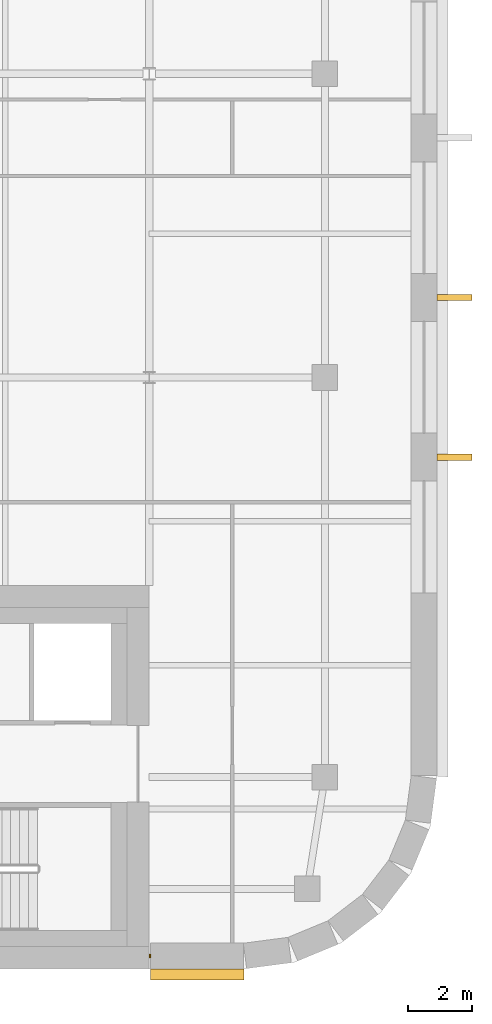
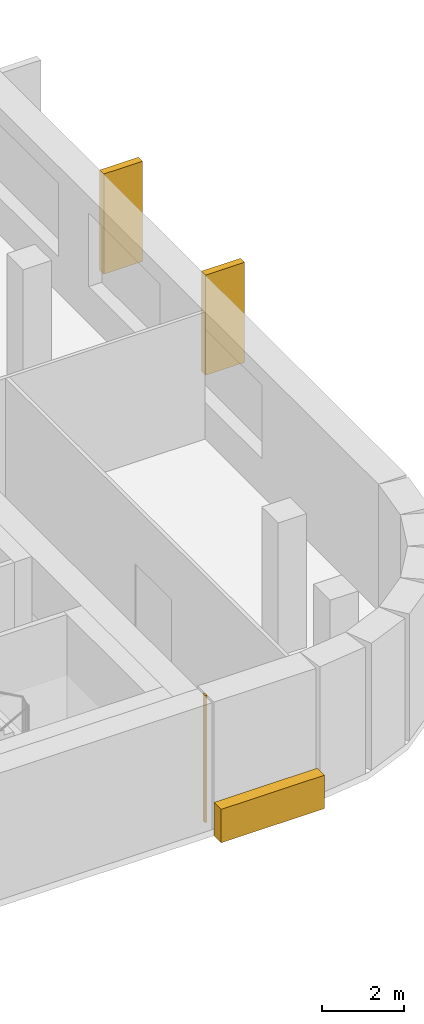
# One storey, part 15 of 16: 4 coverings.
"""IFC4 building model written with IfcOpenShell, lengths in metres."""

from ifc_helpers import new_model, si_unit, direction, frame, origin, origin_2d, place, context, subcontext, project, spatial, polyline, rectangle, outline, extrude, material, layer, layer_set, type_object, element, save


model = new_model("IFC4")

# Units and contexts
model_context = context("Model", 3, precision=1e-05, world=origin(), true_north=direction((0.0, 1.0)))
body_context = subcontext(model_context, "Body", "Model", "MODEL_VIEW")
ifc_project = project(units=[si_unit("LENGTHUNIT", "METRE"), si_unit("AREAUNIT", "SQUARE_METRE"), si_unit("VOLUMEUNIT", "CUBIC_METRE"), si_unit("PLANEANGLEUNIT", "RADIAN"), si_unit("MASSUNIT", "GRAM", prefix="KILO")], contexts=[model_context])

# Site, building, storey
site_placement = place(None, origin())
site = spatial("IfcSite", under=ifc_project, at=site_placement, CompositionType="ELEMENT")
building_placement = place(site_placement, origin())
building = spatial("IfcBuilding", under=site, at=building_placement, Name="Zellij Exchange Tower", CompositionType="ELEMENT")
storey_placement = place(building_placement, frame((0.0, 0.0, 248.5)))
storey = spatial("IfcBuildingStorey", under=building, at=storey_placement, Name="L58", CompositionType="ELEMENT", Elevation=248.5)

# Coverings
ifc_material = material(Name="Limestone cladding", Category="masonry")
ifc_layer_1 = layer(ifc_material, 0.35009765625)
ifc_layer_set_1 = layer_set([ifc_layer_1], Name="Limestone cladding")
covering_type_1 = type_object("IfcCoveringType", Name="ENV-CV10 Stone spandrel band 350", PredefinedType="CLADDING", material=ifc_layer_set_1)
covering_1_placement = place(storey_placement, frame((0.0, 0.0, -0.199951171875)))
element("IfcCovering", 1, at=covering_1_placement, inside=storey, type_object=covering_type_1, Name="Stone spandrel band", PredefinedType="CLADDING", context=body_context, shape_type="SweptSolid", body=[
    extrude(outline(polyline([(27.050048828125, -14.0), (29.973876953125, -14.0), (29.973876953125, -14.35009765625), (27.050048828125, -14.35009765625), (27.050048828125, -14.0)])), origin(), (0.0, 0.0, 1.0), 1.0),
])
ifc_layer_2 = layer(ifc_material, 0.1201171875)
ifc_layer_set_2 = layer_set([ifc_layer_2], Name="Limestone cladding")
covering_type_2 = type_object("IfcCoveringType", Name="ENV-CV18 Glazing closer 120", PredefinedType="CLADDING", material=ifc_layer_set_2)
covering_2_placement = place(storey_placement, frame((27.02490234375, -13.60009765625, 0.0), z_axis=(0.0, 0.0, 1.0), x_axis=(-1.0, 0.0, 0.0)))
element("IfcCovering", 2, at=covering_2_placement, inside=storey, type_object=covering_type_2, Name="Glazing closer", PredefinedType="CLADDING", context=body_context, shape_type="SweptSolid", body=[
    extrude(rectangle(XDim=0.050048828125, YDim=0.1201171875, at=origin_2d()), origin(), (0.0, 0.0, 1.0), 3.800048828125),
])
covering_type_3 = type_object("IfcCoveringType", Name="ENV-CV6 Stone pier 200x1100", PredefinedType="CLADDING", material=ifc_material)
covering_3_placement = place(storey_placement, frame((0.0, 0.0, 0.800048828125)))
element("IfcCovering", 3, at=covering_3_placement, inside=storey, type_object=covering_type_3, Name="Stone pier", PredefinedType="CLADDING", context=body_context, shape_type="SweptSolid", body=[
    extrude(outline(polyline([(36.0, 1.9111328125), (36.0, 2.111083984375), (37.10009765625, 2.111083984375), (37.10009765625, 1.9111328125), (36.0, 1.9111328125)])), origin(), (0.0, 0.0, 1.0), 3.0),
])
covering_4_placement = place(storey_placement, frame((0.0, 0.0, 0.800048828125)))
element("IfcCovering", 4, at=covering_4_placement, inside=storey, type_object=covering_type_3, Name="Stone pier", PredefinedType="CLADDING", context=body_context, shape_type="SweptSolid", body=[
    extrude(outline(polyline([(36.0, 6.90380859375), (36.0, 7.103759765625), (37.10009765625, 7.103759765625), (37.10009765625, 6.90380859375), (36.0, 6.90380859375)])), origin(), (0.0, 0.0, 1.0), 3.0),
])

save(model, "model.ifc")
